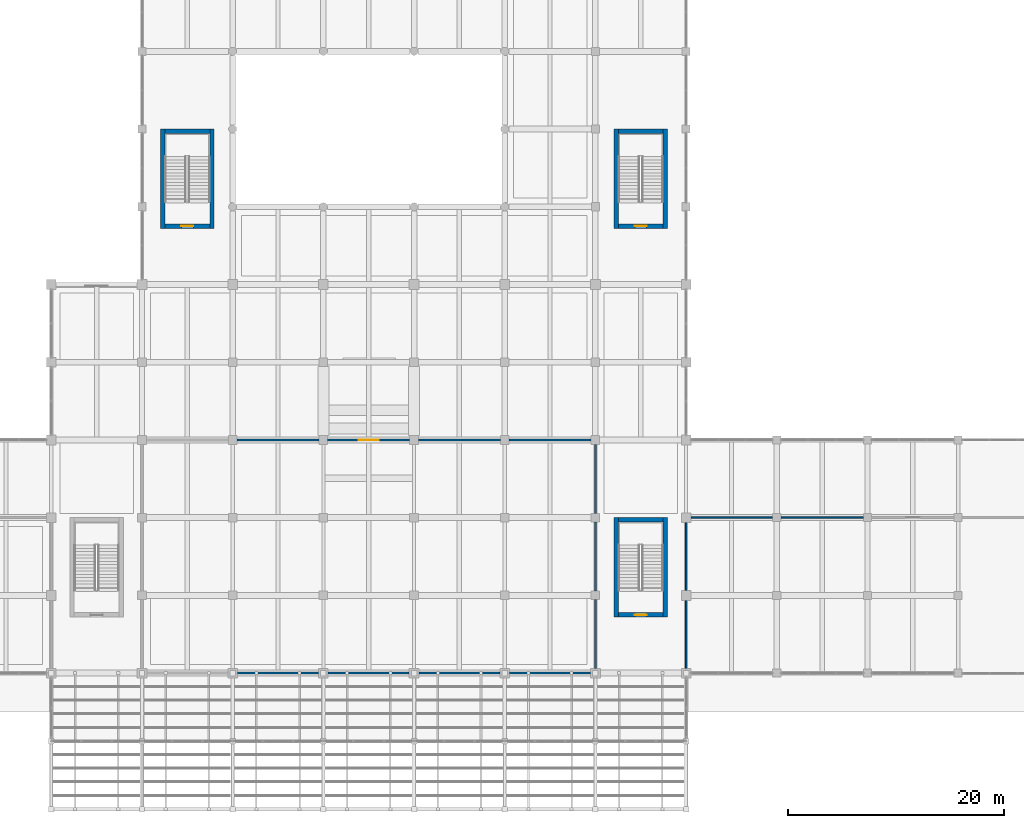
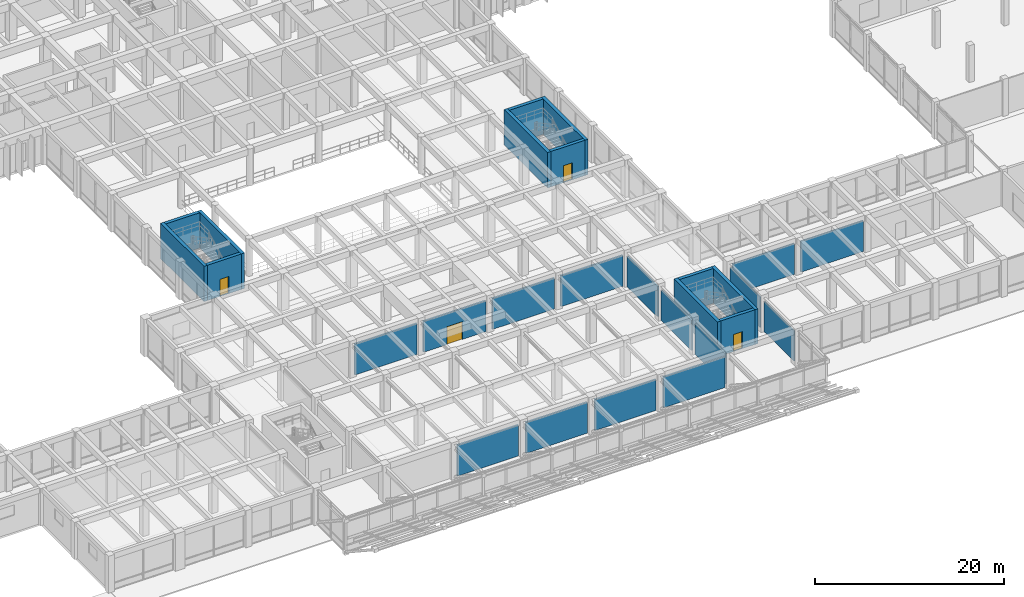
# One storey, part 34 of 52: 27 walls, 4 doors, 4 openings.
"""IFC4 building model written with IfcOpenShell, lengths in metres."""

from ifc_helpers import new_model, si_unit, direction, frame, frame_2d, origin, place, context, subcontext, project, spatial, rectangle, extrude, material, layer, layer_set, type_object, element, fill, save


model = new_model("IFC4")

# Units and contexts
model_context = context("Model", 3, precision=1e-05, world=origin(), true_north=direction((0.0, 1.0)))
body_context = subcontext(model_context, "Body", "Model", "MODEL_VIEW")
ifc_project = project(units=[si_unit("LENGTHUNIT", "METRE"), si_unit("AREAUNIT", "SQUARE_METRE"), si_unit("VOLUMEUNIT", "CUBIC_METRE"), si_unit("PLANEANGLEUNIT", "RADIAN"), si_unit("MASSUNIT", "GRAM", prefix="KILO")], contexts=[model_context])

# Site, building, storey
site_placement = place(None, origin())
site = spatial("IfcSite", under=ifc_project, at=site_placement, CompositionType="ELEMENT")
building_placement = place(site_placement, origin())
building = spatial("IfcBuilding", under=site, at=building_placement, Name="Kenerak Square Central Library", CompositionType="ELEMENT")
storey_placement = place(building_placement, frame((0.0, 0.0, 4.800048828125)))
storey = spatial("IfcBuildingStorey", under=building, at=storey_placement, Name="L01", CompositionType="ELEMENT", Elevation=4.800048828125)

# Walls
ifc_material_1 = material(Name="Precast concrete C40/50", Category="concrete")
ifc_layer_1 = layer(ifc_material_1, 0.14990234375)
ifc_layer_set_1 = layer_set([ifc_layer_1], Name="Precast concrete C40/50")
wall_type_1 = type_object("IfcWallType", Name="Acoustic Blockwork Partition IW-150 C40/50", PredefinedType="PARTITIONING", material=ifc_layer_set_1)
wall_1_placement = place(storey_placement, frame((117.64990234375, 31.199951171875, 0.0), z_axis=(0.0, 0.0, 1.0), x_axis=(1.0, 0.0, 0.0)))
element("IfcWall", 1, at=wall_1_placement, inside=storey, type_object=wall_type_1, Name="Interior Wall IW-L01-04-N2-B1", PredefinedType="PARTITIONING", context=body_context, shape_type="SweptSolid", body=[
    extrude(rectangle(XDim=7.5751953125, YDim=0.14990234375, at=frame_2d((3.78759765625, 0.0))), origin(), (0.0, 0.0, 1.0), 4.0),
])
wall_2_placement = place(storey_placement, frame((125.97509765625, 31.199951171875, 0.0), z_axis=(0.0, 0.0, 1.0), x_axis=(1.0, 0.0, 0.0)))
element("IfcWall", 2, at=wall_2_placement, inside=storey, type_object=wall_type_1, Name="Interior Wall IW-L01-04-N2-B2", PredefinedType="PARTITIONING", context=body_context, shape_type="SweptSolid", body=[
    extrude(rectangle(XDim=7.64990234375, YDim=0.14990234375, at=frame_2d((3.824951171875, 0.0))), origin(), (0.0, 0.0, 1.0), 4.0),
])
for number, where, z_axis, x_axis, name in (
    (3, (117.199951171875, 17.25, 0.0), (0.0, 0.0, 1.0), (0.0, 1.0, 0.0), "Interior Wall IW-L01-04-W3-B1"),
    (4, (117.199951171875, 24.449951171875, 0.0), (0.0, 0.0, 1.0), (0.0, 1.0, 0.0), "Interior Wall IW-L01-04-W3-B2"),
):
    element("IfcWall", number, at=place(storey_placement, frame(where, z_axis=z_axis, x_axis=x_axis)), inside=storey, type_object=wall_type_1, Name=name, PredefinedType="PARTITIONING", context=body_context, shape_type="SweptSolid", body=[
        extrude(rectangle(XDim=6.300048828125, YDim=0.14990234375, at=frame_2d((3.14990234375, 0.0))), origin(), (0.0, 0.0, 1.0), 3.89990234375),
    ])
ifc_material_2 = material(Name="Concrete C40/50", Category="concrete")
ifc_layer_2 = layer(ifc_material_2, 0.39990234375)
ifc_layer_set_2 = layer_set([ifc_layer_2], Name="Concrete C40/50")
wall_type_2 = type_object("IfcWallType", Name="Core Shear Wall CW-400 C40/50", PredefinedType="SHEAR", material=ifc_layer_set_2)
for number, where, z_axis, x_axis, name in (
    (5, (110.719970703125, 22.0, 0.0), (0.0, 0.0, 1.0), (0.0, 1.0, 0.0), "Core Wall CW-C5 L01 West"),
    (6, (115.280029296875, 31.199951171875, 0.0), (0.0, 0.0, 1.0), (0.0, -1.0, 0.0), "Core Wall CW-C5 L01 East"),
):
    element("IfcWall", number, at=place(storey_placement, frame(where, z_axis=z_axis, x_axis=x_axis)), inside=storey, type_object=wall_type_2, Name=name, PredefinedType="SHEAR", context=body_context, shape_type="SweptSolid", body=[
        extrude(rectangle(XDim=9.199951171875, YDim=0.39990234375, at=frame_2d((4.60009765625, 0.0))), origin(), (0.0, 0.0, 1.0), 4.5),
    ])

# Wall, opening, door
wall_3_placement = place(storey_placement, frame((115.080078125, 22.199951171875, 0.0), z_axis=(0.0, 0.0, 1.0), x_axis=(-1.0, 0.0, 0.0)))
wall_3 = element("IfcWall", 7, at=wall_3_placement, inside=storey, type_object=wall_type_2, Name="Core Wall CW-C5 L01 South", PredefinedType="SHEAR", context=body_context, shape_type="SweptSolid", body=[
    extrude(rectangle(XDim=4.16015625, YDim=0.39990234375, at=frame_2d((2.080078125, 0.0))), origin(), (0.0, 0.0, 1.0), 4.5),
])
opening_1_placement = place(wall_3_placement, frame((1.530029296875, 0.0, 0.0)))
opening_1 = element("IfcOpeningElement", 8, at=opening_1_placement, cuts=wall_3, Name="Opening D-ST1", PredefinedType="OPENING", context=body_context, shape_type="SweptSolid", body=[
    extrude(rectangle(XDim=1.10009765625, YDim=2.199951171875, at=frame_2d((0.550048828125, 1.10009765625))), frame((0.0, 0.2099609375, 0.0), z_axis=(0.0, -1.0, 0.0), x_axis=(1.0, 0.0, 0.0)), (0.0, 0.0, 1.0), 0.419921875),
])
ifc_material_3 = material(Name="Steel S355", Category="steel")
door_type_1 = type_object("IfcDoorType", Name="Protected Stair Fire Door FD-1100x2200 FD60S", OperationType="NOTDEFINED", PredefinedType="DOOR", material=ifc_material_3)
door_1_placement = place(opening_1_placement, frame((1.10009765625, 0.0, 0.0), z_axis=(0.0, 0.0, 1.0), x_axis=(-1.0, 0.0, 0.0)))
door_1 = element("IfcDoor", 9, at=door_1_placement, inside=storey, type_object=door_type_1, Name="Stair Door ST-05 L01", OperationType="SINGLE_SWING_LEFT", OverallHeight=2.199951171875, OverallWidth=1.10009765625, PredefinedType="DOOR", context=body_context, shape_type="SweptSolid", body=[
    extrude(rectangle(XDim=1.10009765625, YDim=2.199951171875, at=frame_2d((0.550048828125, 1.10009765625))), frame((0.0, 0.02490234375, 0.0), z_axis=(0.0, -1.0, 0.0), x_axis=(1.0, 0.0, 0.0)), (0.0, 0.0, 1.0), 0.050048828125),
])
fill(opening_1, door_1)

# Walls
wall_4_placement = place(storey_placement, frame((110.919921875, 31.0, 0.0), z_axis=(0.0, 0.0, 1.0), x_axis=(1.0, 0.0, 0.0)))
element("IfcWall", 10, at=wall_4_placement, inside=storey, type_object=wall_type_2, Name="Core Wall CW-C5 L01 North", PredefinedType="SHEAR", context=body_context, shape_type="SweptSolid", body=[
    extrude(rectangle(XDim=4.16015625, YDim=0.39990234375, at=frame_2d((2.080078125, 0.0))), origin(), (0.0, 0.0, 1.0), 4.5),
])
for number, where, z_axis, x_axis, name in (
    (11, (68.719970703125, 58.0, 0.0), (0.0, 0.0, 1.0), (0.0, 1.0, 0.0), "Core Wall CW-C8 L01 West"),
    (12, (73.280029296875, 67.199951171875, 0.0), (0.0, 0.0, 1.0), (0.0, -1.0, 0.0), "Core Wall CW-C8 L01 East"),
):
    element("IfcWall", number, at=place(storey_placement, frame(where, z_axis=z_axis, x_axis=x_axis)), inside=storey, type_object=wall_type_2, Name=name, PredefinedType="SHEAR", context=body_context, shape_type="SweptSolid", body=[
        extrude(rectangle(XDim=9.199951171875, YDim=0.39990234375, at=frame_2d((4.60009765625, 0.0))), origin(), (0.0, 0.0, 1.0), 4.574951171875),
    ])

# Wall, opening, door
wall_5_placement = place(storey_placement, frame((73.080078125, 58.199951171875, 0.0), z_axis=(0.0, 0.0, 1.0), x_axis=(-1.0, 0.0, 0.0)))
wall_5 = element("IfcWall", 13, at=wall_5_placement, inside=storey, type_object=wall_type_2, Name="Core Wall CW-C8 L01 South", PredefinedType="SHEAR", context=body_context, shape_type="SweptSolid", body=[
    extrude(rectangle(XDim=4.16015625, YDim=0.39990234375, at=frame_2d((2.080078125, 0.0))), origin(), (0.0, 0.0, 1.0), 4.574951171875),
])
opening_2_placement = place(wall_5_placement, frame((1.530029296875, 0.0, 0.0)))
opening_2 = element("IfcOpeningElement", 14, at=opening_2_placement, cuts=wall_5, Name="Opening D-ST1", PredefinedType="OPENING", context=body_context, shape_type="SweptSolid", body=[
    extrude(rectangle(XDim=1.10009765625, YDim=2.199951171875, at=frame_2d((0.550048828125, 1.10009765625))), frame((0.0, 0.2099609375, 0.0), z_axis=(0.0, -1.0, 0.0), x_axis=(1.0, 0.0, 0.0)), (0.0, 0.0, 1.0), 0.419921875),
])
door_2_placement = place(opening_2_placement, frame((1.10009765625, 0.0, 0.0), z_axis=(0.0, 0.0, 1.0), x_axis=(-1.0, 0.0, 0.0)))
door_2 = element("IfcDoor", 15, at=door_2_placement, inside=storey, type_object=door_type_1, Name="Stair Door ST-08 L01", OperationType="SINGLE_SWING_RIGHT", OverallHeight=2.199951171875, OverallWidth=1.10009765625, PredefinedType="DOOR", context=body_context, shape_type="SweptSolid", body=[
    extrude(rectangle(XDim=1.10009765625, YDim=2.199951171875, at=frame_2d((0.550048828125, 1.10009765625))), frame((0.0, 0.02490234375, 0.0), z_axis=(0.0, -1.0, 0.0), x_axis=(1.0, 0.0, 0.0)), (0.0, 0.0, 1.0), 0.050048828125),
])
fill(opening_2, door_2)

# Walls
wall_6_placement = place(storey_placement, frame((68.919921875, 67.0, 0.0), z_axis=(0.0, 0.0, 1.0), x_axis=(1.0, 0.0, 0.0)))
element("IfcWall", 16, at=wall_6_placement, inside=storey, type_object=wall_type_2, Name="Core Wall CW-C8 L01 North", PredefinedType="SHEAR", context=body_context, shape_type="SweptSolid", body=[
    extrude(rectangle(XDim=4.16015625, YDim=0.39990234375, at=frame_2d((2.080078125, 0.0))), origin(), (0.0, 0.0, 1.0), 4.574951171875),
])
for number, where, z_axis, x_axis, name in (
    (17, (110.719970703125, 58.0, 0.0), (0.0, 0.0, 1.0), (0.0, 1.0, 0.0), "Core Wall CW-C9 L01 West"),
    (18, (115.280029296875, 67.199951171875, 0.0), (0.0, 0.0, 1.0), (0.0, -1.0, 0.0), "Core Wall CW-C9 L01 East"),
):
    element("IfcWall", number, at=place(storey_placement, frame(where, z_axis=z_axis, x_axis=x_axis)), inside=storey, type_object=wall_type_2, Name=name, PredefinedType="SHEAR", context=body_context, shape_type="SweptSolid", body=[
        extrude(rectangle(XDim=9.199951171875, YDim=0.39990234375, at=frame_2d((4.60009765625, 0.0))), origin(), (0.0, 0.0, 1.0), 4.574951171875),
    ])

# Wall, opening, door
wall_7_placement = place(storey_placement, frame((115.080078125, 58.199951171875, 0.0), z_axis=(0.0, 0.0, 1.0), x_axis=(-1.0, 0.0, 0.0)))
wall_7 = element("IfcWall", 19, at=wall_7_placement, inside=storey, type_object=wall_type_2, Name="Core Wall CW-C9 L01 South", PredefinedType="SHEAR", context=body_context, shape_type="SweptSolid", body=[
    extrude(rectangle(XDim=4.16015625, YDim=0.39990234375, at=frame_2d((2.080078125, 0.0))), origin(), (0.0, 0.0, 1.0), 4.574951171875),
])
opening_3_placement = place(wall_7_placement, frame((1.530029296875, 0.0, 0.0)))
opening_3 = element("IfcOpeningElement", 20, at=opening_3_placement, cuts=wall_7, Name="Opening D-ST1", PredefinedType="OPENING", context=body_context, shape_type="SweptSolid", body=[
    extrude(rectangle(XDim=1.10009765625, YDim=2.199951171875, at=frame_2d((0.550048828125, 1.10009765625))), frame((0.0, 0.2099609375, 0.0), z_axis=(0.0, -1.0, 0.0), x_axis=(1.0, 0.0, 0.0)), (0.0, 0.0, 1.0), 0.419921875),
])
door_3_placement = place(opening_3_placement, frame((1.10009765625, 0.0, 0.0), z_axis=(0.0, 0.0, 1.0), x_axis=(-1.0, 0.0, 0.0)))
door_3 = element("IfcDoor", 21, at=door_3_placement, inside=storey, type_object=door_type_1, Name="Stair Door ST-09 L01", OperationType="SINGLE_SWING_LEFT", OverallHeight=2.199951171875, OverallWidth=1.10009765625, PredefinedType="DOOR", context=body_context, shape_type="SweptSolid", body=[
    extrude(rectangle(XDim=1.10009765625, YDim=2.199951171875, at=frame_2d((0.550048828125, 1.10009765625))), frame((0.0, 0.02490234375, 0.0), z_axis=(0.0, -1.0, 0.0), x_axis=(1.0, 0.0, 0.0)), (0.0, 0.0, 1.0), 0.050048828125),
])
fill(opening_3, door_3)

# Walls
wall_8_placement = place(storey_placement, frame((110.919921875, 67.0, 0.0), z_axis=(0.0, 0.0, 1.0), x_axis=(1.0, 0.0, 0.0)))
element("IfcWall", 22, at=wall_8_placement, inside=storey, type_object=wall_type_2, Name="Core Wall CW-C9 L01 North", PredefinedType="SHEAR", context=body_context, shape_type="SweptSolid", body=[
    extrude(rectangle(XDim=4.16015625, YDim=0.39990234375, at=frame_2d((2.080078125, 0.0))), origin(), (0.0, 0.0, 1.0), 4.574951171875),
])
ifc_layer_3 = layer(ifc_material_1, 0.199951171875)
ifc_layer_set_3 = layer_set([ifc_layer_3], Name="Precast concrete C40/50")
wall_type_3 = type_object("IfcWallType", Name="Protected Corridor Fire Wall IW-200 C40/50", PredefinedType="PARTITIONING", material=ifc_layer_set_3)
wall_9_placement = place(storey_placement, frame((75.60009765625, 38.39990234375, 0.0), z_axis=(0.0, 0.0, 1.0), x_axis=(1.0, 0.0, 0.0)))
element("IfcWall", 23, at=wall_9_placement, inside=storey, type_object=wall_type_3, Name="Interior Wall IW-L01-01-N2-B2", PredefinedType="PARTITIONING", context=body_context, shape_type="SweptSolid", body=[
    extrude(rectangle(XDim=7.599853515625, YDim=0.199951171875, at=frame_2d((3.7998046875, 0.0))), origin(), (0.0, 0.0, 1.0), 4.0),
])

# Wall, opening, door
wall_10_placement = place(storey_placement, frame((84.0, 38.39990234375, 0.0), z_axis=(0.0, 0.0, 1.0), x_axis=(1.0, 0.0, 0.0)))
wall_10 = element("IfcWall", 24, at=wall_10_placement, inside=storey, type_object=wall_type_3, Name="Interior Wall IW-L01-01-N2-B3", PredefinedType="PARTITIONING", context=body_context, shape_type="SweptSolid", body=[
    extrude(rectangle(XDim=7.60009765625, YDim=0.199951171875, at=frame_2d((3.800048828125, 0.0))), origin(), (0.0, 0.0, 1.0), 4.0),
])
opening_4_placement = place(wall_10_placement, frame((2.875, 0.0, 0.0)))
opening_4 = element("IfcOpeningElement", 25, at=opening_4_placement, cuts=wall_10, Name="Opening ID-09", PredefinedType="OPENING", context=body_context, shape_type="SweptSolid", body=[
    extrude(rectangle(XDim=1.85009765625, YDim=2.300048828125, at=frame_2d((0.925048828125, 1.14990234375))), frame((0.0, 0.10986328125, 0.0), z_axis=(0.0, -1.0, 0.0), x_axis=(1.0, 0.0, 0.0)), (0.0, 0.0, 1.0), 0.219970703125),
])
ifc_material_4 = material(Name="Anodised aluminium and laminated glass", Category="aluminium")
door_type_2 = type_object("IfcDoorType", Name="Reading Room Glazed Double Door ID-1850x2300 FD60S", OperationType="NOTDEFINED", PredefinedType="DOOR", material=ifc_material_4)
door_4_placement = place(opening_4_placement, origin())
door_4 = element("IfcDoor", 26, at=door_4_placement, inside=storey, type_object=door_type_2, Name="Current Periodicals and Journals Reading Hall Door", OperationType="DOUBLE_DOOR_SINGLE_SWING", OverallHeight=2.300048828125, OverallWidth=1.85009765625, PredefinedType="DOOR", context=body_context, shape_type="SweptSolid", body=[
    extrude(rectangle(XDim=1.85009765625, YDim=2.300048828125, at=frame_2d((0.925048828125, 1.14990234375))), frame((0.0, 0.02490234375, 0.0), z_axis=(0.0, -1.0, 0.0), x_axis=(1.0, 0.0, 0.0)), (0.0, 0.0, 1.0), 0.050048828125),
])
fill(opening_4, door_4)

# Walls
wall_11_placement = place(storey_placement, frame((92.39990234375, 38.39990234375, 0.0), z_axis=(0.0, 0.0, 1.0), x_axis=(1.0, 0.0, 0.0)))
element("IfcWall", 27, at=wall_11_placement, inside=storey, type_object=wall_type_3, Name="Interior Wall IW-L01-01-N2-B4", PredefinedType="PARTITIONING", context=body_context, shape_type="SweptSolid", body=[
    extrude(rectangle(XDim=7.60009765625, YDim=0.199951171875, at=frame_2d((3.800048828125, 0.0))), origin(), (0.0, 0.0, 1.0), 4.0),
])
wall_12_placement = place(storey_placement, frame((100.800048828125, 38.39990234375, 0.0), z_axis=(0.0, 0.0, 1.0), x_axis=(1.0, 0.0, 0.0)))
element("IfcWall", 28, at=wall_12_placement, inside=storey, type_object=wall_type_3, Name="Interior Wall IW-L01-01-N2-B5", PredefinedType="PARTITIONING", context=body_context, shape_type="SweptSolid", body=[
    extrude(rectangle(XDim=7.599853515625, YDim=0.199951171875, at=frame_2d((3.7998046875, 0.0))), origin(), (0.0, 0.0, 1.0), 4.0),
])
for number, where, z_axis, x_axis, name in (
    (29, (108.35009765625, 16.800048828125, 0.0), (0.0, 0.0, 1.0), (-1.0, 0.0, 0.0), "Interior Wall IW-L01-01-S1-B1"),
    (30, (99.949951171875, 16.800048828125, 0.0), (0.0, 0.0, 1.0), (-1.0, 0.0, 0.0), "Interior Wall IW-L01-01-S1-B2"),
    (31, (91.550048828125, 16.800048828125, 0.0), (0.0, 0.0, 1.0), (-1.0, 0.0, 0.0), "Interior Wall IW-L01-01-S1-B3"),
    (32, (83.14990234375, 16.800048828125, 0.0), (0.0, 0.0, 1.0), (-1.0, 0.0, 0.0), "Interior Wall IW-L01-01-S1-B4"),
):
    element("IfcWall", number, at=place(storey_placement, frame(where, z_axis=z_axis, x_axis=x_axis)), inside=storey, type_object=wall_type_3, Name=name, PredefinedType="PARTITIONING", context=body_context, shape_type="SweptSolid", body=[
        extrude(rectangle(XDim=7.5, YDim=0.199951171875, at=frame_2d((3.75, 0.0))), origin(), (0.0, 0.0, 1.0), 4.0),
    ])
wall_13_placement = place(storey_placement, frame((108.800048828125, 38.0, 0.0), z_axis=(0.0, 0.0, 1.0), x_axis=(0.0, -1.0, 0.0)))
element("IfcWall", 33, at=wall_13_placement, inside=storey, type_object=wall_type_3, Name="Interior Wall IW-L01-01-E4-B1", PredefinedType="PARTITIONING", context=body_context, shape_type="SweptSolid", body=[
    extrude(rectangle(XDim=6.39990234375, YDim=0.199951171875, at=frame_2d((3.199951171875, 0.0))), origin(), (0.0, 0.0, 1.0), 3.89990234375),
])
wall_14_placement = place(storey_placement, frame((108.800048828125, 30.800048828125, 0.0), z_axis=(0.0, 0.0, 1.0), x_axis=(0.0, -1.0, 0.0)))
element("IfcWall", 34, at=wall_14_placement, inside=storey, type_object=wall_type_3, Name="Interior Wall IW-L01-01-E4-B2", PredefinedType="PARTITIONING", context=body_context, shape_type="SweptSolid", body=[
    extrude(rectangle(XDim=6.400146484375, YDim=0.199951171875, at=frame_2d((3.2001953125, 0.0))), origin(), (0.0, 0.0, 1.0), 3.89990234375),
])
wall_15_placement = place(storey_placement, frame((108.800048828125, 23.60009765625, 0.0), z_axis=(0.0, 0.0, 1.0), x_axis=(0.0, -1.0, 0.0)))
element("IfcWall", 35, at=wall_15_placement, inside=storey, type_object=wall_type_3, Name="Interior Wall IW-L01-01-E4-B3", PredefinedType="PARTITIONING", context=body_context, shape_type="SweptSolid", body=[
    extrude(rectangle(XDim=6.35009765625, YDim=0.199951171875, at=frame_2d((3.175048828125, 0.0))), origin(), (0.0, 0.0, 1.0), 3.89990234375),
])

save(model, "model.ifc")
